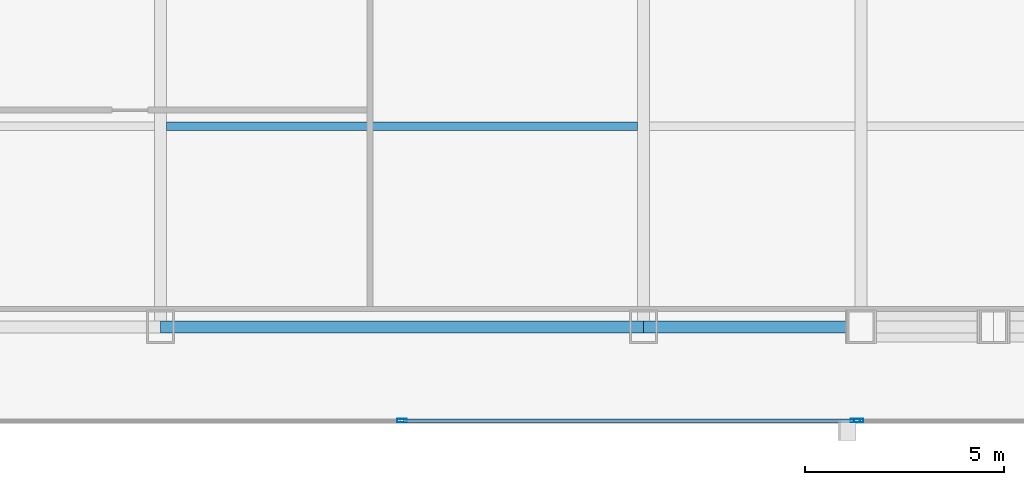
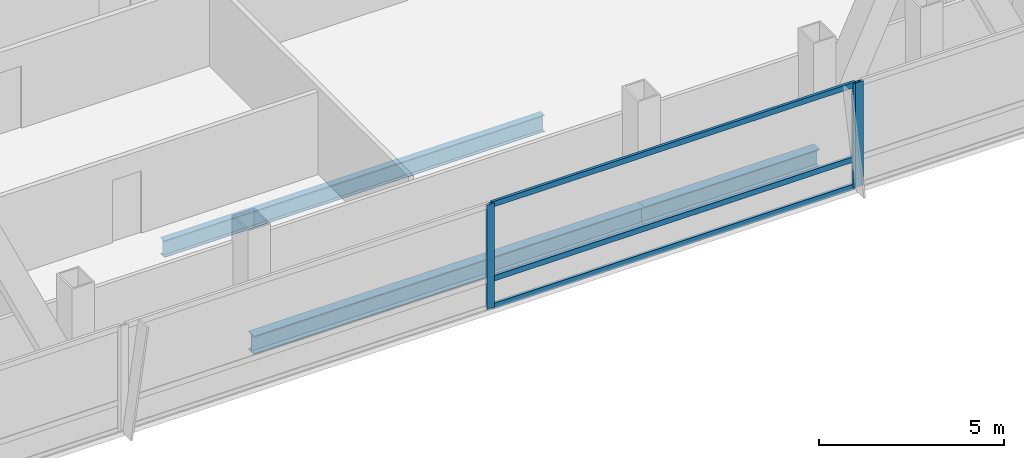
# One storey, part 13 of 31: 6 members, 3 beams, 2 elements without a shape of their own.
"""IFC4 building model written with IfcOpenShell, lengths in metres."""

from ifc_helpers import new_model, si_unit, direction, frame, origin, origin_2d, place, context, subcontext, project, spatial, hollow_rectangle, i_section, extrude, material, material_profile, profile_set, type_object, element, aggregate, save


model = new_model("IFC4")

# Units and contexts
model_context = context("Model", 3, precision=1e-05, world=origin(), true_north=direction((0.0, 1.0)))
body_context = subcontext(model_context, "Body", "Model", "MODEL_VIEW")
ifc_project = project(units=[si_unit("LENGTHUNIT", "METRE"), si_unit("AREAUNIT", "SQUARE_METRE"), si_unit("VOLUMEUNIT", "CUBIC_METRE"), si_unit("PLANEANGLEUNIT", "RADIAN"), si_unit("MASSUNIT", "GRAM", prefix="KILO")], contexts=[model_context])

# Site, building, storey
site_placement = place(None, origin())
site = spatial("IfcSite", under=ifc_project, at=site_placement, CompositionType="ELEMENT")
building_placement = place(site_placement, origin())
building = spatial("IfcBuilding", under=site, at=building_placement, Name="Khoronbel Lancet Exchange", CompositionType="ELEMENT")
storey_placement = place(building_placement, frame((0.0, 0.0, 129.0)))
storey = spatial("IfcBuildingStorey", under=building, at=storey_placement, Name="L31", CompositionType="ELEMENT", Elevation=129.0)

# Beams
ifc_material_1 = material(Name="Steel S355", Category="steel")
ifc_material_profile_1 = material_profile(ifc_material_1, i_section(OverallWidth=0.2099609375, OverallDepth=0.550048828125, WebThickness=0.010986328125, FlangeThickness=0.01708984375, at=origin_2d()), Name="IPE 550")
ifc_profile_set_1 = profile_set([ifc_material_profile_1], Name="Steel S355")
beam_type_1 = type_object("IfcBeamType", Name="BM-BJ2", PredefinedType="JOIST", material=ifc_profile_set_1)
beam_1_placement = place(storey_placement, frame((30.52490234375, 15.199951171875, -0.43505859375), z_axis=(1.0, 0.0, 0.0), x_axis=(0.0, 1.0, 0.0)))
element("IfcBeam", 1, at=beam_1_placement, inside=storey, type_object=beam_type_1, Name="Level L31 secondary composite joist J03", PredefinedType="JOIST", context=body_context, shape_type="SweptSolid", body=[
    extrude(i_section(OverallWidth=0.2099609375, OverallDepth=0.550048828125, WebThickness=0.010986328125, FlangeThickness=0.01708984375, at=origin_2d()), origin(), (0.0, 0.0, 1.0), 11.85009765625),
])
ifc_material_profile_2 = material_profile(ifc_material_1, i_section(OverallWidth=0.300048828125, OverallDepth=0.60009765625, WebThickness=0.015380859375, FlangeThickness=0.030029296875, at=origin_2d()), Name="HEB 600")
ifc_profile_set_2 = profile_set([ifc_material_profile_2], Name="Steel S355")
beam_type_2 = type_object("IfcBeamType", Name="BM-BSP2", PredefinedType="SPANDREL", material=ifc_profile_set_2)
beam_2_placement = place(storey_placement, frame((30.375, 10.14990234375, -0.4599609375), z_axis=(1.0, 0.0, 0.0), x_axis=(0.0, 1.0, 0.0)))
element("IfcBeam", 2, at=beam_2_placement, inside=storey, type_object=beam_type_2, Name="Level L31 perimeter spandrel beam SP05", PredefinedType="SPANDREL", context=body_context, shape_type="SweptSolid", body=[
    extrude(i_section(OverallWidth=0.300048828125, OverallDepth=0.60009765625, WebThickness=0.015380859375, FlangeThickness=0.030029296875, at=origin_2d()), origin(), (0.0, 0.0, 1.0), 12.14990234375),
])
beam_3_placement = place(storey_placement, frame((42.52490234375, 10.14990234375, -0.4599609375), z_axis=(1.0, 0.0, 0.0), x_axis=(0.0, 1.0, 0.0)))
element("IfcBeam", 3, at=beam_3_placement, inside=storey, type_object=beam_type_2, Name="Level L31 perimeter spandrel beam SP06", PredefinedType="SPANDREL", context=body_context, shape_type="SweptSolid", body=[
    extrude(i_section(OverallWidth=0.300048828125, OverallDepth=0.60009765625, WebThickness=0.015380859375, FlangeThickness=0.030029296875, at=origin_2d()), origin(), (0.0, 0.0, 1.0), 5.47509765625),
])

# Curtain wall, members
ifc_material_2 = material(Name="Low-E Solar Control Insulating Glass", Category="glass")
curtain_wall_type = type_object("IfcCurtainWallType", Name="CW-2", PredefinedType="NOTDEFINED", material=ifc_material_2)
curtain_wall_1_placement = place(storey_placement, origin())
curtain_wall_1 = element("IfcCurtainWall", 4, at=curtain_wall_1_placement, inside=storey, type_object=curtain_wall_type, Name="Unitised curtain wall CW-L31-SCV", PredefinedType="NOTDEFINED")
ifc_material_3 = material(Name="Bronze-Anodised Aluminium 6063-T6", Category="aluminium")
ifc_material_profile_3 = material_profile(ifc_material_3, hollow_rectangle(XDim=0.0849609375, YDim=0.239990234375, WallThickness=0.006103515625, at=origin_2d()), Name="ALU MULLION 85x240")
ifc_profile_set_3 = profile_set([ifc_material_profile_3], Name="Bronze-Anodised Aluminium 6063-T6")
member_type_1 = type_object("IfcMemberType", Name="MEM-CWM1", PredefinedType="MULLION", material=ifc_profile_set_3)
member_1_placement = place(storey_placement, frame((36.449951171875, 7.7900390625, 0.0), z_axis=(0.0, 0.0, 1.0), x_axis=(0.0, 1.0, 0.0)))
member_1 = element("IfcMember", 5, at=member_1_placement, type_object=member_type_1, Name="CW2 mullion 2", PredefinedType="MULLION", context=body_context, shape_type="SweptSolid", body=[
    extrude(hollow_rectangle(XDim=0.0849609375, YDim=0.239990234375, WallThickness=0.006103515625, at=origin_2d()), origin(), (0.0, 0.0, 1.0), 3.43994140625),
])
member_2_placement = place(storey_placement, frame((47.857421875, 7.7900390625, 0.0), z_axis=(0.0, 0.0, 1.0), x_axis=(0.0, 1.0, 0.0)))
member_2 = element("IfcMember", 6, at=member_2_placement, type_object=member_type_1, Name="CW2 mullion 3", PredefinedType="MULLION", context=body_context, shape_type="SweptSolid", body=[
    extrude(hollow_rectangle(XDim=0.0849609375, YDim=0.239990234375, WallThickness=0.006103515625, at=origin_2d()), origin(), (0.0, 0.0, 1.0), 3.43994140625),
])

# Curtain wall, member
curtain_wall_2_placement = place(storey_placement, origin())
curtain_wall_2 = element("IfcCurtainWall", 7, at=curtain_wall_2_placement, inside=storey, type_object=curtain_wall_type, Name="Unitised curtain wall CW-L31-SEB", PredefinedType="NOTDEFINED")
member_3_placement = place(storey_placement, frame((47.9423828125, 7.7900390625, 0.0), z_axis=(0.0, 0.0, 1.0), x_axis=(0.0, 1.0, 0.0)))
member_3 = element("IfcMember", 8, at=member_3_placement, type_object=member_type_1, Name="CW2 mullion 1", PredefinedType="MULLION", context=body_context, shape_type="SweptSolid", body=[
    extrude(hollow_rectangle(XDim=0.0849609375, YDim=0.239990234375, WallThickness=0.006103515625, at=origin_2d()), origin(), (0.0, 0.0, 1.0), 3.43994140625),
])
aggregate(curtain_wall_2, [member_3])

# Member
ifc_material_profile_4 = material_profile(ifc_material_3, hollow_rectangle(XDim=0.0849609375, YDim=0.179931640625, WallThickness=0.0048828125, at=origin_2d()), Name="ALU TRANSOM 85x180")
ifc_profile_set_4 = profile_set([ifc_material_profile_4], Name="Bronze-Anodised Aluminium 6063-T6")
member_type_2 = type_object("IfcMemberType", Name="MEM-CWT1", PredefinedType="USERDEFINED", material=ifc_profile_set_4)
member_4_placement = place(storey_placement, frame((36.492431640625, 7.7900390625, 0.04248046875), z_axis=(1.0, 0.0, 0.0), x_axis=(0.0, 1.0, 0.0)))
member_4 = element("IfcMember", 9, at=member_4_placement, type_object=member_type_2, Name="CW2 transom 2.1", ObjectType="TRANSOM", PredefinedType="USERDEFINED", context=body_context, shape_type="SweptSolid", body=[
    extrude(hollow_rectangle(XDim=0.0849609375, YDim=0.179931640625, WallThickness=0.0048828125, at=origin_2d()), origin(), (0.0, 0.0, 1.0), 11.322509765625),
])

member_5_placement = place(storey_placement, frame((36.492431640625, 7.7900390625, 0.949951171875), z_axis=(1.0, 0.0, 0.0), x_axis=(0.0, 1.0, 0.0)))
member_5 = element("IfcMember", 10, at=member_5_placement, type_object=member_type_2, Name="CW2 transom 2.2", ObjectType="TRANSOM", PredefinedType="USERDEFINED", context=body_context, shape_type="SweptSolid", body=[
    extrude(hollow_rectangle(XDim=0.0849609375, YDim=0.179931640625, WallThickness=0.0048828125, at=origin_2d()), origin(), (0.0, 0.0, 1.0), 11.322509765625),
])

member_6_placement = place(storey_placement, frame((36.492431640625, 7.7900390625, 3.3974609375), z_axis=(1.0, 0.0, 0.0), x_axis=(0.0, 1.0, 0.0)))
member_6 = element("IfcMember", 11, at=member_6_placement, type_object=member_type_2, Name="CW2 transom 2.3", ObjectType="TRANSOM", PredefinedType="USERDEFINED", context=body_context, shape_type="SweptSolid", body=[
    extrude(hollow_rectangle(XDim=0.0849609375, YDim=0.179931640625, WallThickness=0.0048828125, at=origin_2d()), origin(), (0.0, 0.0, 1.0), 11.322509765625),
])

aggregate(curtain_wall_1, [member_1, member_2, member_4, member_5, member_6])

save(model, "model.ifc")
